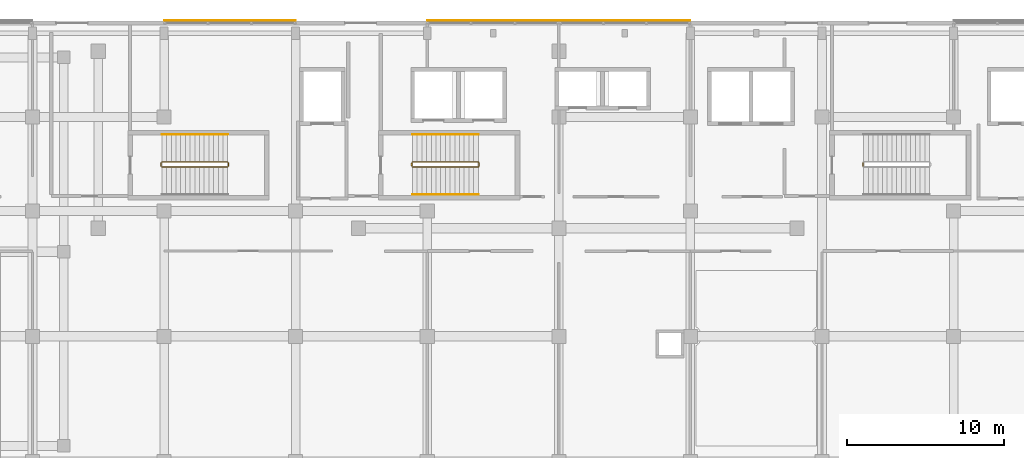
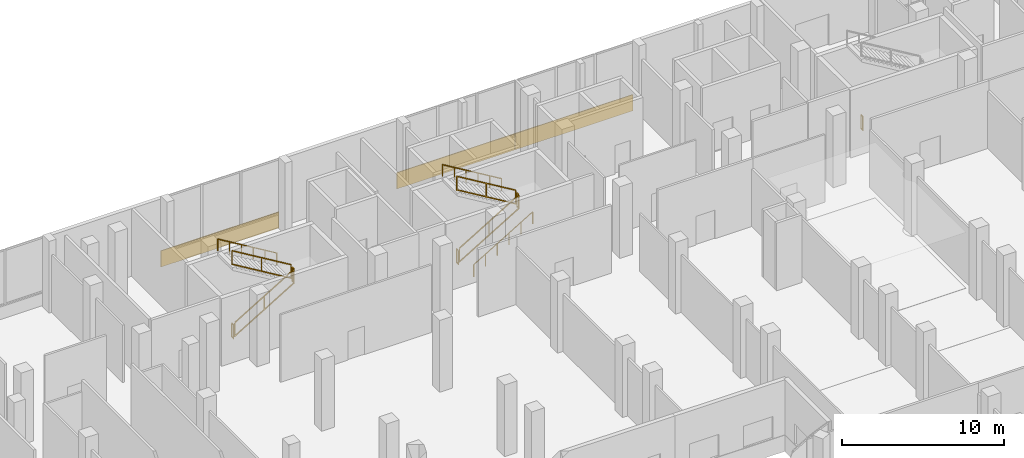
# One storey, part 156 of 158: 12 railings, 3 coverings.
"""IFC4 building model written with IfcOpenShell, lengths in metres."""

from ifc_helpers import new_model, si_unit, direction, frame, origin, origin_2d, place, context, subcontext, project, spatial, rectangle, circle, extrude, material, layer, layer_set, type_object, element, save


model = new_model("IFC4")

# Units and contexts
model_context = context("Model", 3, precision=1e-05, world=origin(), true_north=direction((0.0, 1.0)))
body_context = subcontext(model_context, "Body", "Model", "MODEL_VIEW")
ifc_project = project(units=[si_unit("LENGTHUNIT", "METRE"), si_unit("AREAUNIT", "SQUARE_METRE"), si_unit("VOLUMEUNIT", "CUBIC_METRE"), si_unit("PLANEANGLEUNIT", "RADIAN"), si_unit("MASSUNIT", "GRAM", prefix="KILO")], contexts=[model_context])

# Site, building, storey
site_placement = place(None, origin())
site = spatial("IfcSite", under=ifc_project, at=site_placement, CompositionType="ELEMENT")
building_placement = place(site_placement, origin())
building = spatial("IfcBuilding", under=site, at=building_placement, Name="Selatvlak General Hospital", CompositionType="ELEMENT")
storey_placement = place(building_placement, origin())
storey = spatial("IfcBuildingStorey", under=building, at=storey_placement, Name="L00", CompositionType="ELEMENT", Elevation=0.0)

# Coverings
ifc_material_1 = material(Name="White Bauhaus fair-faced cladding panel")
ifc_layer = layer(ifc_material_1, 0.054931640625, Name="White Bauhaus fair-faced cladding panel")
ifc_layer_set = layer_set([ifc_layer], Name="White Bauhaus fair-faced cladding panel")
covering_type = type_object("IfcCoveringType", Name="COV-WHT1", PredefinedType="CLADDING", material=ifc_layer_set)
for number, where, z_axis, x_axis, name in (
    (1, (94.198974609375, 120.1650390625, -0.27978515625), (0.0, 0.0, 1.0), (1.0, 0.0, 0.0), "L00 Bauhaus horizontal white spandrel band 0009"),
    (2, (110.9990234375, 120.1650390625, -0.27978515625), (0.0, 0.0, 1.0), (1.0, 0.0, 0.0), "L00 Bauhaus horizontal white spandrel band 0010"),
    (3, (119.39892578125, 120.1650390625, -0.27978515625), (0.0, 0.0, 1.0), (1.0, 0.0, 0.0), "L00 Bauhaus horizontal white spandrel band 0011"),
):
    element("IfcCovering", number, at=place(storey_placement, frame(where, z_axis=z_axis, x_axis=x_axis)), inside=storey, type_object=covering_type, Name=name, PredefinedType="CLADDING", context=body_context, shape_type="SweptSolid", body=[
        extrude(rectangle(XDim=8.39990234375, YDim=0.054931640625, at=origin_2d()), origin(), (0.0, 0.0, 1.0), 1.219970703125),
    ])

# Railings
ifc_material_2 = material(Name="Stainless steel 316 stair guard", Category="steel")
railing_type_1 = type_object("IfcRailingType", Name="RAIL-STG", PredefinedType="GUARDRAIL", material=ifc_material_2)
railing_1_placement = place(storey_placement, frame((89.860107421875, 110.81005859375, 0.179931640625)))
element("IfcRailing", 4, at=railing_1_placement, inside=storey, type_object=railing_type_1, Name="L00 ST-02 stair guard 1", PredefinedType="GUARDRAIL", context=body_context, shape_type="SweptSolid", body=[
    extrude(rectangle(XDim=0.068115234375, YDim=0.068115234375, at=origin_2d()), frame((0.00244140625, 0.0, 1.067626953125), z_axis=(0.857488527567, 0.0, 0.514503085598), x_axis=(0.0, 1.0, 0.0)), (0.0, 0.0, 1.0), 4.89208984375),
    extrude(rectangle(XDim=0.068115234375, YDim=0.068115234375, at=origin_2d()), frame((0.00244140625, 0.0, 0.050537109375), z_axis=(0.857488527567, 0.0, 0.514503085598), x_axis=(0.0, 1.0, 0.0)), (0.0, 0.0, 1.0), 4.89208984375),
    extrude(rectangle(XDim=0.055908203125, YDim=0.055908203125, at=origin_2d()), origin(), (0.0, 0.0, 1.0), 1.029052734375),
    extrude(rectangle(XDim=0.055908203125, YDim=0.055908203125, at=origin_2d()), frame((2.10009765625, 0.0, 1.260009765625)), (0.0, 0.0, 1.0), 1.029052734375),
    extrude(rectangle(XDim=0.055908203125, YDim=0.055908203125, at=origin_2d()), frame((4.199951171875, 0.0, 2.52001953125)), (0.0, 0.0, 1.0), 1.029052734375),
])
railing_2_placement = place(storey_placement, frame((94.110107421875, 110.860107421875, 2.699951171875)))
element("IfcRailing", 5, at=railing_2_placement, inside=storey, type_object=railing_type_1, Name="L00 ST-02 stair guard 2", PredefinedType="GUARDRAIL", context=body_context, shape_type="SweptSolid", body=[
    extrude(rectangle(XDim=0.068115234375, YDim=0.068115234375, at=origin_2d()), frame((0.0, 0.0029296875, 1.06591796875), z_axis=(0.0, 1.0, 0.0), x_axis=(-1.0, 0.0, 0.0)), (0.0, 0.0, 1.0), 0.214111328125),
    extrude(rectangle(XDim=0.068115234375, YDim=0.068115234375, at=origin_2d()), frame((0.0, 0.0029296875, 0.049072265625), z_axis=(0.0, 1.0, 0.0), x_axis=(-1.0, 0.0, 0.0)), (0.0, 0.0, 1.0), 0.214111328125),
    extrude(rectangle(XDim=0.055908203125, YDim=0.055908203125, at=origin_2d()), origin(), (0.0, 0.0, 1.0), 1.029052734375),
    extrude(rectangle(XDim=0.055908203125, YDim=0.055908203125, at=origin_2d()), frame((0.0, 0.219970703125, 0.0)), (0.0, 0.0, 1.0), 1.029052734375),
])
railing_3_placement = place(storey_placement, frame((94.06005859375, 111.1298828125, 2.8798828125)))
element("IfcRailing", 6, at=railing_3_placement, inside=storey, type_object=railing_type_1, Name="L00 ST-02 stair guard 3", PredefinedType="GUARDRAIL", context=body_context, shape_type="SweptSolid", body=[
    extrude(rectangle(XDim=0.068115234375, YDim=0.068115234375, at=origin_2d()), frame((-0.00244140625, 0.0, 1.067626953125), z_axis=(-0.857488527567, 0.0, 0.514503085598), x_axis=(0.0, -1.0, 0.0)), (0.0, 0.0, 1.0), 4.89208984375),
    extrude(rectangle(XDim=0.068115234375, YDim=0.068115234375, at=origin_2d()), frame((-0.00244140625, 0.0, 0.050537109375), z_axis=(-0.857488527567, 0.0, 0.514503085598), x_axis=(0.0, -1.0, 0.0)), (0.0, 0.0, 1.0), 4.89208984375),
    extrude(rectangle(XDim=0.055908203125, YDim=0.055908203125, at=origin_2d()), origin(), (0.0, 0.0, 1.0), 1.029052734375),
    extrude(rectangle(XDim=0.055908203125, YDim=0.055908203125, at=origin_2d()), frame((-2.10009765625, 0.0, 1.260009765625)), (0.0, 0.0, 1.0), 1.029052734375),
    extrude(rectangle(XDim=0.055908203125, YDim=0.055908203125, at=origin_2d()), frame((-4.199951171875, 0.0, 2.52001953125)), (0.0, 0.0, 1.0), 1.029052734375),
])
railing_4_placement = place(storey_placement, frame((89.81005859375, 110.860107421875, 0.0)))
element("IfcRailing", 7, at=railing_4_placement, inside=storey, type_object=railing_type_1, Name="L00 ST-02 stair guard 4", PredefinedType="GUARDRAIL", context=body_context, shape_type="SweptSolid", body=[
    extrude(rectangle(XDim=0.068115234375, YDim=0.068115234375, at=origin_2d()), frame((0.0, 0.0029296875, 1.06591796875), z_axis=(0.0, 1.0, 0.0), x_axis=(-1.0, 0.0, 0.0)), (0.0, 0.0, 1.0), 0.214111328125),
    extrude(rectangle(XDim=0.068115234375, YDim=0.068115234375, at=origin_2d()), frame((0.0, 0.0029296875, 0.049072265625), z_axis=(0.0, 1.0, 0.0), x_axis=(-1.0, 0.0, 0.0)), (0.0, 0.0, 1.0), 0.214111328125),
    extrude(rectangle(XDim=0.055908203125, YDim=0.055908203125, at=origin_2d()), origin(), (0.0, 0.0, 1.0), 1.029052734375),
    extrude(rectangle(XDim=0.055908203125, YDim=0.055908203125, at=origin_2d()), frame((0.0, 0.219970703125, 0.0)), (0.0, 0.0, 1.0), 1.029052734375),
])
railing_5_placement = place(storey_placement, frame((105.860107421875, 110.81005859375, 0.179931640625)))
element("IfcRailing", 8, at=railing_5_placement, inside=storey, type_object=railing_type_1, Name="L00 ST-03 stair guard 1", PredefinedType="GUARDRAIL", context=body_context, shape_type="SweptSolid", body=[
    extrude(rectangle(XDim=0.068115234375, YDim=0.068115234375, at=origin_2d()), frame((0.00244140625, 0.0, 1.067626953125), z_axis=(0.857488527567, 0.0, 0.514503085598), x_axis=(0.0, 1.0, 0.0)), (0.0, 0.0, 1.0), 4.89208984375),
    extrude(rectangle(XDim=0.068115234375, YDim=0.068115234375, at=origin_2d()), frame((0.00244140625, 0.0, 0.050537109375), z_axis=(0.857488527567, 0.0, 0.514503085598), x_axis=(0.0, 1.0, 0.0)), (0.0, 0.0, 1.0), 4.89208984375),
    extrude(rectangle(XDim=0.055908203125, YDim=0.055908203125, at=origin_2d()), origin(), (0.0, 0.0, 1.0), 1.029052734375),
    extrude(rectangle(XDim=0.055908203125, YDim=0.055908203125, at=origin_2d()), frame((2.10009765625, 0.0, 1.260009765625)), (0.0, 0.0, 1.0), 1.029052734375),
    extrude(rectangle(XDim=0.055908203125, YDim=0.055908203125, at=origin_2d()), frame((4.199951171875, 0.0, 2.52001953125)), (0.0, 0.0, 1.0), 1.029052734375),
])
railing_6_placement = place(storey_placement, frame((110.110107421875, 110.860107421875, 2.699951171875)))
element("IfcRailing", 9, at=railing_6_placement, inside=storey, type_object=railing_type_1, Name="L00 ST-03 stair guard 2", PredefinedType="GUARDRAIL", context=body_context, shape_type="SweptSolid", body=[
    extrude(rectangle(XDim=0.068115234375, YDim=0.068115234375, at=origin_2d()), frame((0.0, 0.0029296875, 1.06591796875), z_axis=(0.0, 1.0, 0.0), x_axis=(-1.0, 0.0, 0.0)), (0.0, 0.0, 1.0), 0.214111328125),
    extrude(rectangle(XDim=0.068115234375, YDim=0.068115234375, at=origin_2d()), frame((0.0, 0.0029296875, 0.049072265625), z_axis=(0.0, 1.0, 0.0), x_axis=(-1.0, 0.0, 0.0)), (0.0, 0.0, 1.0), 0.214111328125),
    extrude(rectangle(XDim=0.055908203125, YDim=0.055908203125, at=origin_2d()), origin(), (0.0, 0.0, 1.0), 1.029052734375),
    extrude(rectangle(XDim=0.055908203125, YDim=0.055908203125, at=origin_2d()), frame((0.0, 0.219970703125, 0.0)), (0.0, 0.0, 1.0), 1.029052734375),
])
railing_7_placement = place(storey_placement, frame((110.06005859375, 111.1298828125, 2.8798828125)))
element("IfcRailing", 10, at=railing_7_placement, inside=storey, type_object=railing_type_1, Name="L00 ST-03 stair guard 3", PredefinedType="GUARDRAIL", context=body_context, shape_type="SweptSolid", body=[
    extrude(rectangle(XDim=0.068115234375, YDim=0.068115234375, at=origin_2d()), frame((-0.00244140625, 0.0, 1.067626953125), z_axis=(-0.857488527567, 0.0, 0.514503085598), x_axis=(0.0, -1.0, 0.0)), (0.0, 0.0, 1.0), 4.89208984375),
    extrude(rectangle(XDim=0.068115234375, YDim=0.068115234375, at=origin_2d()), frame((-0.00244140625, 0.0, 0.050537109375), z_axis=(-0.857488527567, 0.0, 0.514503085598), x_axis=(0.0, -1.0, 0.0)), (0.0, 0.0, 1.0), 4.89208984375),
    extrude(rectangle(XDim=0.055908203125, YDim=0.055908203125, at=origin_2d()), origin(), (0.0, 0.0, 1.0), 1.029052734375),
    extrude(rectangle(XDim=0.055908203125, YDim=0.055908203125, at=origin_2d()), frame((-2.10009765625, 0.0, 1.260009765625)), (0.0, 0.0, 1.0), 1.029052734375),
    extrude(rectangle(XDim=0.055908203125, YDim=0.055908203125, at=origin_2d()), frame((-4.199951171875, 0.0, 2.52001953125)), (0.0, 0.0, 1.0), 1.029052734375),
])
for number, where, name in (
    (11, (105.81005859375, 110.860107421875, 0.0), "L00 ST-03 stair guard 4"),
    (12, (134.610107421875, 110.860107421875, 0.0), "L00 ST-04 stair guard 4"),
):
    element("IfcRailing", number, at=place(storey_placement, frame(where)), inside=storey, type_object=railing_type_1, Name=name, PredefinedType="GUARDRAIL", context=body_context, shape_type="SweptSolid", body=[
        extrude(rectangle(XDim=0.068115234375, YDim=0.068115234375, at=origin_2d()), frame((0.0, 0.0029296875, 1.06591796875), z_axis=(0.0, 1.0, 0.0), x_axis=(-1.0, 0.0, 0.0)), (0.0, 0.0, 1.0), 0.214111328125),
        extrude(rectangle(XDim=0.068115234375, YDim=0.068115234375, at=origin_2d()), frame((0.0, 0.0029296875, 0.049072265625), z_axis=(0.0, 1.0, 0.0), x_axis=(-1.0, 0.0, 0.0)), (0.0, 0.0, 1.0), 0.214111328125),
        extrude(rectangle(XDim=0.055908203125, YDim=0.055908203125, at=origin_2d()), origin(), (0.0, 0.0, 1.0), 1.029052734375),
        extrude(rectangle(XDim=0.055908203125, YDim=0.055908203125, at=origin_2d()), frame((0.0, 0.219970703125, 0.0)), (0.0, 0.0, 1.0), 1.029052734375),
    ])
ifc_material_3 = material(Name="Stainless steel 316 handrail", Category="steel")
railing_type_2 = type_object("IfcRailingType", Name="RAIL-STH", PredefinedType="HANDRAIL", material=ifc_material_3)
railing_8_placement = place(storey_placement, frame((94.06005859375, 112.889892578125, 2.8798828125)))
element("IfcRailing", 13, at=railing_8_placement, inside=storey, type_object=railing_type_2, Name="L00 ST-02 stair handrail 2", PredefinedType="HANDRAIL", context=body_context, shape_type="SweptSolid", body=[
    extrude(circle(Radius=0.02392578125, at=origin_2d()), frame((-0.00244140625, 0.0, 0.87744140625), z_axis=(-0.857488527567, 0.0, 0.514503085598), x_axis=(0.0, -1.0, 0.0)), (0.0, 0.0, 1.0), 4.89208984375),
    extrude(circle(Radius=0.02099609375, at=origin_2d()), origin(), (0.0, 0.0, 1.0), 0.848876953125),
    extrude(circle(Radius=0.02099609375, at=origin_2d()), frame((-0.840087890625, 0.0, 0.50390625)), (0.0, 0.0, 1.0), 0.848876953125),
    extrude(circle(Radius=0.02099609375, at=origin_2d()), frame((-1.679931640625, 0.0, 1.008056640625)), (0.0, 0.0, 1.0), 0.848876953125),
    extrude(circle(Radius=0.02099609375, at=origin_2d()), frame((-2.52001953125, 0.0, 1.511962890625)), (0.0, 0.0, 1.0), 0.848876953125),
    extrude(circle(Radius=0.02099609375, at=origin_2d()), frame((-3.35986328125, 0.0, 2.01611328125)), (0.0, 0.0, 1.0), 0.848876953125),
    extrude(circle(Radius=0.02099609375, at=origin_2d()), frame((-4.199951171875, 0.0, 2.52001953125)), (0.0, 0.0, 1.0), 0.848876953125),
])
railing_9_placement = place(storey_placement, frame((105.860107421875, 109.050048828125, 0.179931640625)))
element("IfcRailing", 14, at=railing_9_placement, inside=storey, type_object=railing_type_2, Name="L00 ST-03 stair handrail 1", PredefinedType="HANDRAIL", context=body_context, shape_type="SweptSolid", body=[
    extrude(circle(Radius=0.02392578125, at=origin_2d()), frame((0.00244140625, 0.0, 0.87744140625), z_axis=(0.857488527567, 0.0, 0.514503085598), x_axis=(0.0, 1.0, 0.0)), (0.0, 0.0, 1.0), 4.89208984375),
    extrude(circle(Radius=0.02099609375, at=origin_2d()), origin(), (0.0, 0.0, 1.0), 0.848876953125),
    extrude(circle(Radius=0.02099609375, at=origin_2d()), frame((0.840087890625, 0.0, 0.50390625)), (0.0, 0.0, 1.0), 0.848876953125),
    extrude(circle(Radius=0.02099609375, at=origin_2d()), frame((1.679931640625, 0.0, 1.008056640625)), (0.0, 0.0, 1.0), 0.848876953125),
    extrude(circle(Radius=0.02099609375, at=origin_2d()), frame((2.52001953125, 0.0, 1.511962890625)), (0.0, 0.0, 1.0), 0.848876953125),
    extrude(circle(Radius=0.02099609375, at=origin_2d()), frame((3.35986328125, 0.0, 2.01611328125)), (0.0, 0.0, 1.0), 0.848876953125),
    extrude(circle(Radius=0.02099609375, at=origin_2d()), frame((4.199951171875, 0.0, 2.52001953125)), (0.0, 0.0, 1.0), 0.848876953125),
])
railing_10_placement = place(storey_placement, frame((110.06005859375, 112.889892578125, 2.8798828125)))
element("IfcRailing", 15, at=railing_10_placement, inside=storey, type_object=railing_type_2, Name="L00 ST-03 stair handrail 2", PredefinedType="HANDRAIL", context=body_context, shape_type="SweptSolid", body=[
    extrude(circle(Radius=0.02392578125, at=origin_2d()), frame((-0.00244140625, 0.0, 0.87744140625), z_axis=(-0.857488527567, 0.0, 0.514503085598), x_axis=(0.0, -1.0, 0.0)), (0.0, 0.0, 1.0), 4.89208984375),
    extrude(circle(Radius=0.02099609375, at=origin_2d()), origin(), (0.0, 0.0, 1.0), 0.848876953125),
    extrude(circle(Radius=0.02099609375, at=origin_2d()), frame((-0.840087890625, 0.0, 0.50390625)), (0.0, 0.0, 1.0), 0.848876953125),
    extrude(circle(Radius=0.02099609375, at=origin_2d()), frame((-1.679931640625, 0.0, 1.008056640625)), (0.0, 0.0, 1.0), 0.848876953125),
    extrude(circle(Radius=0.02099609375, at=origin_2d()), frame((-2.52001953125, 0.0, 1.511962890625)), (0.0, 0.0, 1.0), 0.848876953125),
    extrude(circle(Radius=0.02099609375, at=origin_2d()), frame((-3.35986328125, 0.0, 2.01611328125)), (0.0, 0.0, 1.0), 0.848876953125),
    extrude(circle(Radius=0.02099609375, at=origin_2d()), frame((-4.199951171875, 0.0, 2.52001953125)), (0.0, 0.0, 1.0), 0.848876953125),
])

save(model, "model.ifc")
